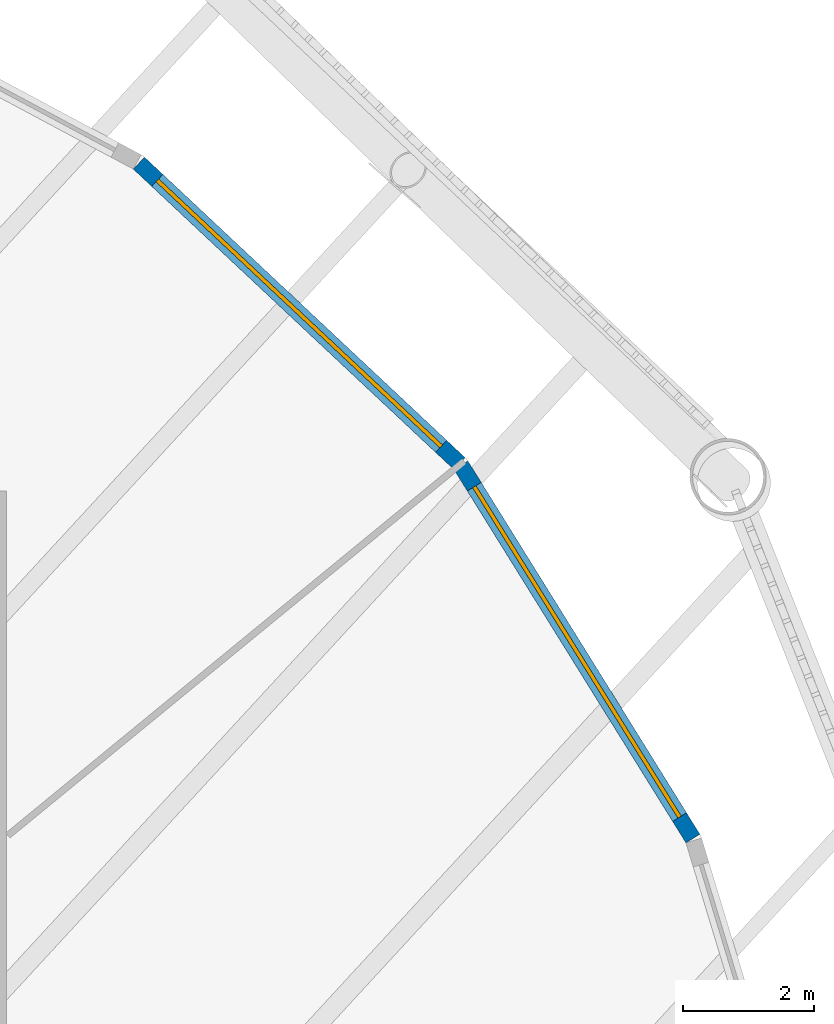
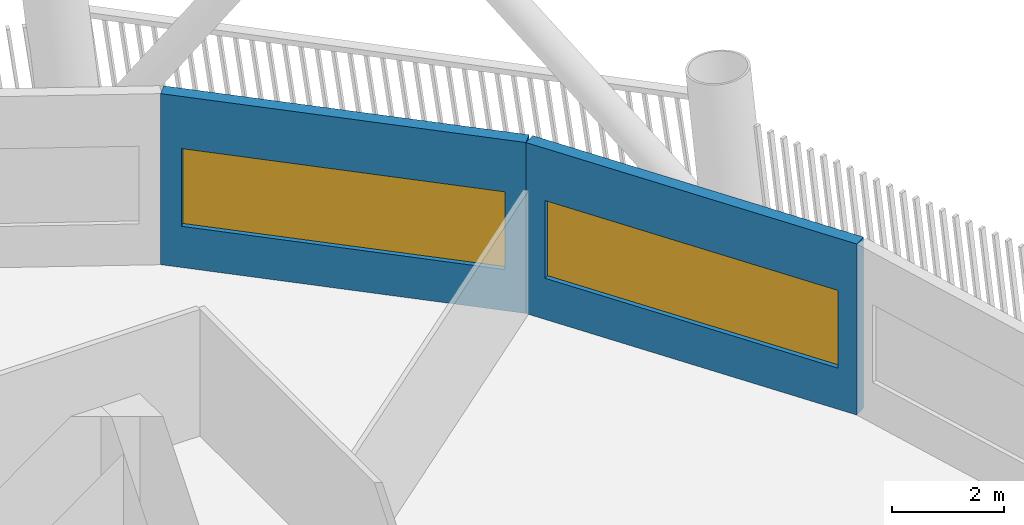
# One storey, part 8 of 24: 2 walls, 2 windows, 2 openings.
"""IFC4 building model written with IfcOpenShell, lengths in metres."""

from ifc_helpers import new_model, si_unit, direction, frame, frame_2d, origin, place, context, subcontext, project, spatial, rectangle, extrude, material, layer, layer_set, type_object, element, fill, save


model = new_model("IFC4")

# Units and contexts
model_context = context("Model", 3, precision=1e-05, world=origin(), true_north=direction((0.0, 1.0)))
body_context = subcontext(model_context, "Body", "Model", "MODEL_VIEW")
ifc_project = project(units=[si_unit("LENGTHUNIT", "METRE"), si_unit("AREAUNIT", "SQUARE_METRE"), si_unit("VOLUMEUNIT", "CUBIC_METRE"), si_unit("PLANEANGLEUNIT", "RADIAN"), si_unit("MASSUNIT", "GRAM", prefix="KILO")], contexts=[model_context])

# Site, building, storey
site_placement = place(None, origin())
site = spatial("IfcSite", under=ifc_project, at=site_placement, CompositionType="ELEMENT")
building_placement = place(site_placement, origin())
building = spatial("IfcBuilding", under=site, at=building_placement, Name="Tarsis Ring Headquarters", CompositionType="ELEMENT")
storey_placement = place(building_placement, frame((0.0, 0.0, 92.800048828125)))
storey = spatial("IfcBuildingStorey", under=building, at=storey_placement, Name="L20", CompositionType="ELEMENT", Elevation=92.800048828125)

# Wall, opening, window
ifc_material_1 = material(Name="Terracotta clad insulated panel wall", Category="masonry")
ifc_layer = layer(ifc_material_1, 0.25)
ifc_layer_set = layer_set([ifc_layer], Name="Facade wall terracotta panel 250")
wall_type = type_object("IfcWallType", Name="Facade wall terracotta panel 250", PredefinedType="STANDARD", material=ifc_layer_set)
wall_1_placement = place(storey_placement, frame((23.561767578125, 10.68603515625, 0.0), z_axis=(0.0, 0.0, 1.0), x_axis=(-0.527829323363, 0.849350460881, 0.0)))
wall_1 = element("IfcWall", 1, at=wall_1_placement, inside=storey, type_object=wall_type, Name="External wall L20-25", PredefinedType="STANDARD", context=body_context, shape_type="SweptSolid", body=[
    extrude(rectangle(XDim=6.7216796875, YDim=0.25, at=frame_2d((3.36083984375, 0.0))), origin(), (0.0, 0.0, 1.0), 3.739990234375),
])
opening_1_placement = place(wall_1_placement, frame((0.3857421875, 0.0, 0.89990234375)))
opening_1 = element("IfcOpeningElement", 2, at=opening_1_placement, cuts=wall_1, Name="Opening WN07", PredefinedType="OPENING", context=body_context, shape_type="SweptSolid", body=[
    extrude(rectangle(XDim=5.949951171875, YDim=1.699951171875, at=frame_2d((2.97509765625, 0.85009765625))), frame((0.0, 0.135009765625, 0.0), z_axis=(0.0, -1.0, 0.0), x_axis=(1.0, 0.0, 0.0)), (0.0, 0.0, 1.0), 0.27001953125),
])
ifc_material_2 = material(Name="Aluminium framed double glazing", Category="aluminium")
window_type = type_object("IfcWindowType", Name="Facade window 5950 x 1700", PartitioningType="SINGLE_PANEL", PredefinedType="WINDOW", material=ifc_material_2)
window_1_placement = place(opening_1_placement, origin())
window_1 = element("IfcWindow", 3, at=window_1_placement, inside=storey, type_object=window_type, Name="Window L20-25.1", OverallHeight=1.699951171875, OverallWidth=5.949951171875, PartitioningType="SINGLE_PANEL", PredefinedType="WINDOW", context=body_context, shape_type="SweptSolid", body=[
    extrude(rectangle(XDim=5.949951171875, YDim=1.699951171875, at=frame_2d((2.97509765625, 0.85009765625))), frame((0.0, 0.030029296875, 0.0), z_axis=(0.0, -1.0, 0.0), x_axis=(1.0, 0.0, 0.0)), (0.0, 0.0, 1.0), 0.06005859375),
])
fill(opening_1, window_1)

wall_2_placement = place(storey_placement, frame((19.9931640625, 16.420166015625, 0.0), z_axis=(0.0, 0.0, 1.0), x_axis=(-0.729688964175, 0.683779215508, 0.0)))
wall_2 = element("IfcWall", 4, at=wall_2_placement, inside=storey, type_object=wall_type, Name="External wall L20-26", PredefinedType="STANDARD", context=body_context, shape_type="SweptSolid", body=[
    extrude(rectangle(XDim=6.7216796875, YDim=0.25, at=frame_2d((3.36083984375, 0.0))), origin(), (0.0, 0.0, 1.0), 3.739990234375),
])
opening_2_placement = place(wall_2_placement, frame((0.3857421875, 0.0, 0.89990234375)))
opening_2 = element("IfcOpeningElement", 5, at=opening_2_placement, cuts=wall_2, Name="Opening WN07", PredefinedType="OPENING", context=body_context, shape_type="SweptSolid", body=[
    extrude(rectangle(XDim=5.949951171875, YDim=1.699951171875, at=frame_2d((2.97509765625, 0.85009765625))), frame((0.0, 0.135009765625, 0.0), z_axis=(0.0, -1.0, 0.0), x_axis=(1.0, 0.0, 0.0)), (0.0, 0.0, 1.0), 0.27001953125),
])
window_2_placement = place(opening_2_placement, origin())
window_2 = element("IfcWindow", 6, at=window_2_placement, inside=storey, type_object=window_type, Name="Window L20-26.1", OverallHeight=1.699951171875, OverallWidth=5.949951171875, PartitioningType="SINGLE_PANEL", PredefinedType="WINDOW", context=body_context, shape_type="SweptSolid", body=[
    extrude(rectangle(XDim=5.949951171875, YDim=1.699951171875, at=frame_2d((2.97509765625, 0.85009765625))), frame((0.0, 0.030029296875, 0.0), z_axis=(0.0, -1.0, 0.0), x_axis=(1.0, 0.0, 0.0)), (0.0, 0.0, 1.0), 0.06005859375),
])
fill(opening_2, window_2)

save(model, "model.ifc")
